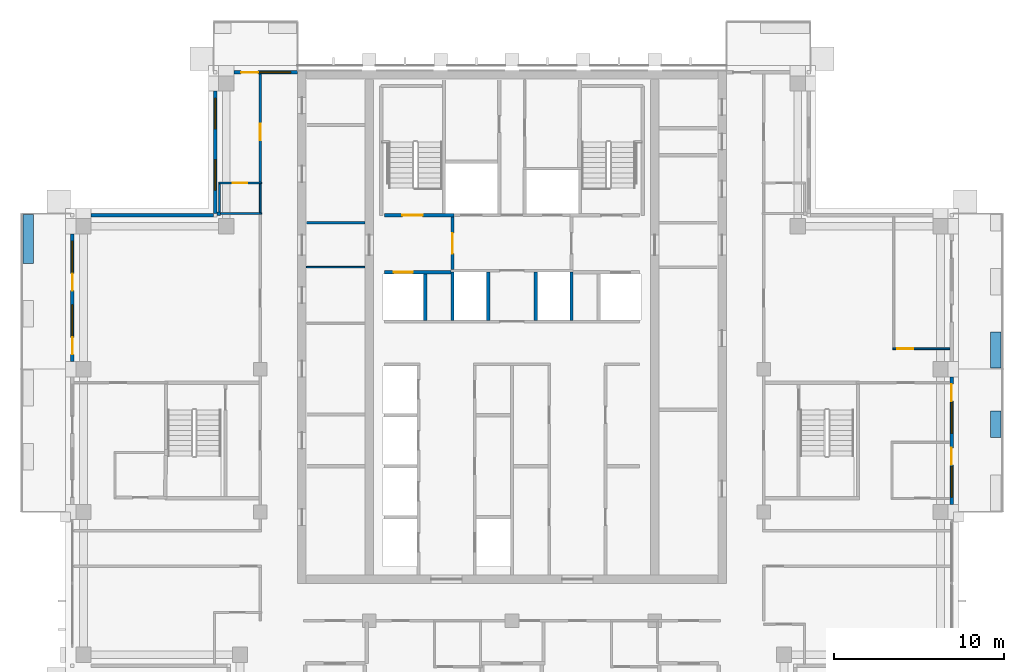
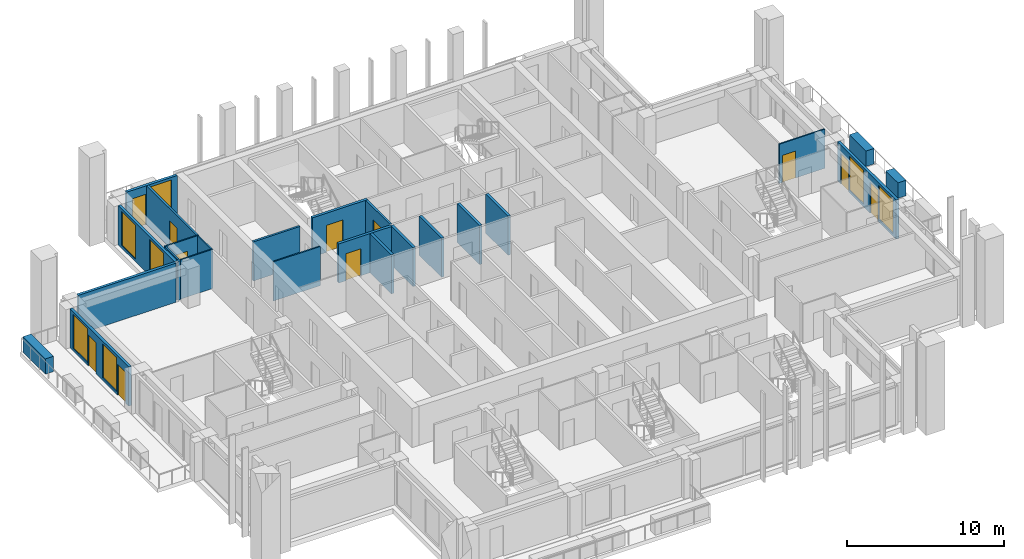
# One storey, part 10 of 16: 25 walls, 11 doors, 7 windows, 18 openings.
"""IFC4 building model written with IfcOpenShell, lengths in metres."""

from ifc_helpers import new_model, si_unit, direction, frame, frame_2d, origin, place, context, subcontext, project, spatial, rectangle, extrude, material, layer, layer_set, type_object, element, fill, save


model = new_model("IFC4")

# Units and contexts
model_context = context("Model", 3, precision=1e-05, world=origin(), true_north=direction((0.0, 1.0)))
body_context = subcontext(model_context, "Body", "Model", "MODEL_VIEW")
ifc_project = project(units=[si_unit("LENGTHUNIT", "METRE"), si_unit("AREAUNIT", "SQUARE_METRE"), si_unit("VOLUMEUNIT", "CUBIC_METRE"), si_unit("PLANEANGLEUNIT", "RADIAN"), si_unit("MASSUNIT", "GRAM", prefix="KILO")], contexts=[model_context])

# Site, building, storey
site_placement = place(None, origin())
site = spatial("IfcSite", under=ifc_project, at=site_placement, CompositionType="ELEMENT")
building_placement = place(site_placement, origin())
building = spatial("IfcBuilding", under=site, at=building_placement, Name="Vermilion Ogive Tower", CompositionType="ELEMENT")
storey_placement = place(building_placement, frame((0.0, 0.0, 247.60009765625)))
storey = spatial("IfcBuildingStorey", under=building, at=storey_placement, Name="L65", CompositionType="ELEMENT", Elevation=247.60009765625)

# Wall
ifc_material_1 = material(Name="Gypsum board partition on steel studs", Category="steel")
ifc_layer_1 = layer(ifc_material_1, 0.10009765625)
ifc_layer_set_1 = layer_set([ifc_layer_1], Name="Partition 100 bath")
wall_type_1 = type_object("IfcWallType", Name="Partition 100 bath", PredefinedType="PARTITIONING", material=ifc_layer_set_1)
wall_1_placement = place(storey_placement, frame((-17.25, 13.35009765625, 0.0), z_axis=(0.0, 0.0, 1.0), x_axis=(1.0, 0.0, 0.0)))
element("IfcWall", 1, at=wall_1_placement, inside=storey, type_object=wall_type_1, Name="L65-W-W030", PredefinedType="PARTITIONING", context=body_context, shape_type="SweptSolid", body=[
    extrude(rectangle(XDim=2.52490234375, YDim=0.10009765625, at=frame_2d((1.262451171875, 0.0))), origin(), (0.0, 0.0, 1.0), 3.0498046875),
])

# Wall, opening, door
wall_2_placement = place(storey_placement, frame((-17.25, 15.14990234375, 0.0), z_axis=(0.0, 0.0, 1.0), x_axis=(1.0, 0.0, 0.0)))
wall_2 = element("IfcWall", 2, at=wall_2_placement, inside=storey, type_object=wall_type_1, Name="L65-W-W033", PredefinedType="PARTITIONING", context=body_context, shape_type="SweptSolid", body=[
    extrude(rectangle(XDim=2.52490234375, YDim=0.10009765625, at=frame_2d((1.262451171875, 0.0))), origin(), (0.0, 0.0, 1.0), 3.0498046875),
])
opening_1_placement = place(wall_2_placement, frame((0.824951171875, 0.0, 0.0)))
opening_1 = element("IfcOpeningElement", 3, at=opening_1_placement, cuts=wall_2, Name="Opening D5G4007", PredefinedType="OPENING", context=body_context, shape_type="SweptSolid", body=[
    extrude(rectangle(XDim=0.85009765625, YDim=2.10009765625, at=frame_2d((0.425048828125, 1.050048828125))), frame((0.0, 0.06005859375, 0.0), z_axis=(0.0, -1.0, 0.0), x_axis=(1.0, 0.0, 0.0)), (0.0, 0.0, 1.0), 0.1201171875),
])
ifc_material_2 = material(Name="Timber door leaf", Category="wood")
door_type_1 = type_object("IfcDoorType", Name="Bath door 850 x 2100 FD30", OperationType="SINGLE_SWING_LEFT", PredefinedType="DOOR", material=ifc_material_2)
door_1_placement = place(opening_1_placement, origin())
door_1 = element("IfcDoor", 4, at=door_1_placement, inside=storey, type_object=door_type_1, Name="L65-D-D007", OperationType="SINGLE_SWING_RIGHT", OverallHeight=2.10009765625, OverallWidth=0.85009765625, PredefinedType="DOOR", context=body_context, shape_type="SweptSolid", body=[
    extrude(rectangle(XDim=0.85009765625, YDim=2.10009765625, at=frame_2d((0.425048828125, 1.050048828125))), frame((0.0, 0.02490234375, 0.0), z_axis=(0.0, -1.0, 0.0), x_axis=(1.0, 0.0, 0.0)), (0.0, 0.0, 1.0), 0.050048828125),
])
fill(opening_1, door_1)

# Walls
wall_3_placement = place(storey_placement, frame((-17.199951171875, 13.449951171875, 0.0), z_axis=(0.0, 0.0, 1.0), x_axis=(0.0, 1.0, 0.0)))
element("IfcWall", 5, at=wall_3_placement, inside=storey, type_object=wall_type_1, Name="L65-W-W039", PredefinedType="PARTITIONING", context=body_context, shape_type="SweptSolid", body=[
    extrude(rectangle(XDim=1.650146484375, YDim=0.10009765625, at=frame_2d((0.8251953125, 0.0))), origin(), (0.0, 0.0, 1.0), 3.0498046875),
])
wall_4_placement = place(storey_placement, frame((-14.800048828125, 13.39990234375, 0.0), z_axis=(0.0, 0.0, 1.0), x_axis=(0.0, 1.0, 0.0)))
element("IfcWall", 6, at=wall_4_placement, inside=storey, type_object=wall_type_1, Name="L65-W-W044", PredefinedType="PARTITIONING", context=body_context, shape_type="SweptSolid", body=[
    extrude(rectangle(XDim=1.7001953125, YDim=0.10009765625, at=frame_2d((0.85009765625, 0.0))), origin(), (0.0, 0.0, 1.0), 3.0498046875),
])
wall_5_placement = place(storey_placement, frame((-12.09912109375, 10.199951171875, 0.0), z_axis=(0.0, 0.0, 1.0), x_axis=(1.0, 0.0, 0.0)))
element("IfcWall", 7, at=wall_5_placement, inside=storey, type_object=wall_type_1, Name="L65-CKW-W-W004", PredefinedType="PARTITIONING", context=body_context, shape_type="SweptSolid", body=[
    extrude(rectangle(XDim=3.4482421875, YDim=0.10009765625, at=frame_2d((1.72412109375, 0.0))), origin(), (0.0, 0.0, 1.0), 3.0498046875),
])

# Wall, opening, door
ifc_material_3 = material(Name="Gypsum board partition on steel studs", Category="steel")
ifc_layer_2 = layer(ifc_material_3, 0.10009765625)
ifc_layer_set_2 = layer_set([ifc_layer_2], Name="Partition 100 inner")
wall_type_2 = type_object("IfcWallType", Name="Partition 100 inner", PredefinedType="PARTITIONING", material=ifc_layer_set_2)
wall_6_placement = place(storey_placement, frame((22.39990234375, 5.39990234375, 0.0), z_axis=(0.0, 0.0, 1.0), x_axis=(1.0, 0.0, 0.0)))
wall_6 = element("IfcWall", 8, at=wall_6_placement, inside=storey, type_object=wall_type_2, Name="L65-W-W028", PredefinedType="PARTITIONING", context=body_context, shape_type="SweptSolid", body=[
    extrude(rectangle(XDim=3.35009765625, YDim=0.10009765625, at=frame_2d((1.675048828125, 0.0))), origin(), (0.0, 0.0, 1.0), 3.0498046875),
])
opening_2_placement = place(wall_6_placement, frame((0.25, 0.0, 0.0)))
opening_2 = element("IfcOpeningElement", 9, at=opening_2_placement, cuts=wall_6, Name="Opening D5G4014", PredefinedType="OPENING", context=body_context, shape_type="SweptSolid", body=[
    extrude(rectangle(XDim=0.949951171875, YDim=2.10009765625, at=frame_2d((0.47509765625, 1.050048828125))), frame((0.0, 0.06005859375, 0.0), z_axis=(0.0, -1.0, 0.0), x_axis=(1.0, 0.0, 0.0)), (0.0, 0.0, 1.0), 0.1201171875),
])
ifc_material_4 = material(Name="Timber door leaf", Category="wood")
door_type_2 = type_object("IfcDoorType", Name="Inner door 950 x 2100 FD30", OperationType="SINGLE_SWING_LEFT", PredefinedType="DOOR", material=ifc_material_4)
door_2_placement = place(opening_2_placement, origin())
door_2 = element("IfcDoor", 10, at=door_2_placement, inside=storey, type_object=door_type_2, Name="L65-D-D014", OperationType="SINGLE_SWING_LEFT", OverallHeight=2.10009765625, OverallWidth=0.949951171875, PredefinedType="DOOR", context=body_context, shape_type="SweptSolid", body=[
    extrude(rectangle(XDim=0.949951171875, YDim=2.10009765625, at=frame_2d((0.47509765625, 1.050048828125))), frame((0.0, 0.02490234375, 0.0), z_axis=(0.0, -1.0, 0.0), x_axis=(1.0, 0.0, 0.0)), (0.0, 0.0, 1.0), 0.050048828125),
])
fill(opening_2, door_2)

ifc_material_5 = material(Name="Gypsum board partition on steel studs", Category="steel")
ifc_layer_3 = layer(ifc_material_5, 0.14990234375)
ifc_layer_set_3 = layer_set([ifc_layer_3], Name="Partition 150 corridor")
wall_type_3 = type_object("IfcWallType", Name="Partition 150 corridor", PredefinedType="PARTITIONING", material=ifc_layer_set_3)
wall_7_placement = place(storey_placement, frame((-14.800048828125, 15.199951171875, 0.0), z_axis=(0.0, 0.0, 1.0), x_axis=(0.0, 1.0, 0.0)))
wall_7 = element("IfcWall", 11, at=wall_7_placement, inside=storey, type_object=wall_type_3, Name="L65-W-W045", PredefinedType="PARTITIONING", context=body_context, shape_type="SweptSolid", body=[
    extrude(rectangle(XDim=6.35009765625, YDim=0.14990234375, at=frame_2d((3.175048828125, 0.0))), origin(), (0.0, 0.0, 1.0), 3.0498046875),
])
opening_3_placement = place(wall_7_placement, frame((2.47509765625, 0.0, 0.0)))
opening_3 = element("IfcOpeningElement", 12, at=opening_3_placement, cuts=wall_7, Name="Opening D5G4006", PredefinedType="OPENING", context=body_context, shape_type="SweptSolid", body=[
    extrude(rectangle(XDim=0.949951171875, YDim=2.10009765625, at=frame_2d((0.47509765625, 1.050048828125))), frame((0.0, 0.0849609375, 0.0), z_axis=(0.0, -1.0, 0.0), x_axis=(1.0, 0.0, 0.0)), (0.0, 0.0, 1.0), 0.169921875),
])
ifc_material_6 = material(Name="Timber door leaf", Category="wood")
door_type_3 = type_object("IfcDoorType", Name="Unit door 950 x 2100 FD30S", OperationType="SINGLE_SWING_LEFT", PredefinedType="DOOR", material=ifc_material_6)
door_3_placement = place(opening_3_placement, origin())
door_3 = element("IfcDoor", 13, at=door_3_placement, inside=storey, type_object=door_type_3, Name="L65-D-D006", OperationType="SINGLE_SWING_RIGHT", OverallHeight=2.10009765625, OverallWidth=0.949951171875, PredefinedType="DOOR", context=body_context, shape_type="SweptSolid", body=[
    extrude(rectangle(XDim=0.949951171875, YDim=2.10009765625, at=frame_2d((0.47509765625, 1.050048828125))), frame((0.0, 0.02490234375, 0.0), z_axis=(0.0, -1.0, 0.0), x_axis=(1.0, 0.0, 0.0)), (0.0, 0.0, 1.0), 0.050048828125),
])
fill(opening_3, door_3)

wall_8_placement = place(storey_placement, frame((-3.5, 10.074951171875, 0.0), z_axis=(0.0, 0.0, 1.0), x_axis=(0.0, 1.0, 0.0)))
wall_8 = element("IfcWall", 14, at=wall_8_placement, inside=storey, type_object=wall_type_3, Name="L65-CK-W-W024", PredefinedType="PARTITIONING", context=body_context, shape_type="SweptSolid", body=[
    extrude(rectangle(XDim=3.074951171875, YDim=0.14990234375, at=frame_2d((1.53759765625, 0.0))), origin(), (0.0, 0.0, 1.0), 3.0498046875),
])
opening_4_placement = place(wall_8_placement, frame((0.925048828125, 0.0, 0.0)))
opening_4 = element("IfcOpeningElement", 15, at=opening_4_placement, cuts=wall_8, Name="Opening DAA609", PredefinedType="OPENING", context=body_context, shape_type="SweptSolid", body=[
    extrude(rectangle(XDim=1.199951171875, YDim=2.10009765625, at=frame_2d((0.60009765625, 1.050048828125))), frame((0.0, 0.0849609375, 0.0), z_axis=(0.0, -1.0, 0.0), x_axis=(1.0, 0.0, 0.0)), (0.0, 0.0, 1.0), 0.169921875),
])
ifc_material_7 = material(Name="Timber door leaf", Category="wood")
door_type_4 = type_object("IfcDoorType", Name="Lobby door 1200 x 2100 FD60S", OperationType="SINGLE_SWING_LEFT", PredefinedType="DOOR", material=ifc_material_7)
door_4_placement = place(opening_4_placement, origin())
door_4 = element("IfcDoor", 16, at=door_4_placement, inside=storey, type_object=door_type_4, Name="L65-CK-D-D023", OperationType="SINGLE_SWING_RIGHT", OverallHeight=2.10009765625, OverallWidth=1.199951171875, PredefinedType="DOOR", context=body_context, shape_type="SweptSolid", body=[
    extrude(rectangle(XDim=1.199951171875, YDim=2.10009765625, at=frame_2d((0.60009765625, 1.050048828125))), frame((0.0, 0.02490234375, 0.0), z_axis=(0.0, -1.0, 0.0), x_axis=(1.0, 0.0, 0.0)), (0.0, 0.0, 1.0), 0.050048828125),
])
fill(opening_4, door_4)

# Walls
wall_9_placement = place(storey_placement, frame((-12.09912109375, 12.800048828125, 0.0), z_axis=(0.0, 0.0, 1.0), x_axis=(1.0, 0.0, 0.0)))
element("IfcWall", 17, at=wall_9_placement, inside=storey, type_object=wall_type_3, Name="L65-CKW-W-W005", PredefinedType="PARTITIONING", context=body_context, shape_type="SweptSolid", body=[
    extrude(rectangle(XDim=3.4482421875, YDim=0.14990234375, at=frame_2d((1.72412109375, 0.0))), origin(), (0.0, 0.0, 1.0), 3.0498046875),
])
ifc_material_8 = material(Name="Gypsum board partition on steel studs", Category="steel")
ifc_layer_4 = layer(ifc_material_8, 0.199951171875)
ifc_layer_set_4 = layer_set([ifc_layer_4], Name="Partition 200 party")
wall_type_4 = type_object("IfcWallType", Name="Partition 200 party", PredefinedType="PARTITIONING", material=ifc_layer_set_4)
wall_10_placement = place(storey_placement, frame((-17.35009765625, 13.35009765625, 0.0), z_axis=(0.0, 0.0, 1.0), x_axis=(1.0, 0.0, 0.0)))
element("IfcWall", 18, at=wall_10_placement, inside=storey, type_object=wall_type_4, Name="L65-W-W029", PredefinedType="PARTITIONING", context=body_context, shape_type="SweptSolid", body=[
    extrude(rectangle(XDim=0.2001953125, YDim=0.199951171875, at=frame_2d((0.10009765625, 0.0))), origin(), (0.0, 0.0, 1.0), 3.0498046875),
])

# Wall, opening, door
wall_11_placement = place(storey_placement, frame((-7.5, 9.89990234375, 0.0), z_axis=(0.0, 0.0, 1.0), x_axis=(1.0, 0.0, 0.0)))
wall_11 = element("IfcWall", 19, at=wall_11_placement, inside=storey, type_object=wall_type_4, Name="L65-CK-W-W012", PredefinedType="PARTITIONING", context=body_context, shape_type="SweptSolid", body=[
    extrude(rectangle(XDim=3.89990234375, YDim=0.199951171875, at=frame_2d((1.949951171875, 0.0))), origin(), (0.0, 0.0, 1.0), 3.0498046875),
])
opening_5_placement = place(wall_11_placement, frame((0.550048828125, 0.0, 0.0)))
opening_5 = element("IfcOpeningElement", 20, at=opening_5_placement, cuts=wall_11, Name="Opening DAA629", PredefinedType="OPENING", context=body_context, shape_type="SweptSolid", body=[
    extrude(rectangle(XDim=1.10009765625, YDim=2.10009765625, at=frame_2d((0.550048828125, 1.050048828125))), frame((0.0, 0.10986328125, 0.0), z_axis=(0.0, -1.0, 0.0), x_axis=(1.0, 0.0, 0.0)), (0.0, 0.0, 1.0), 0.219970703125),
])
ifc_material_9 = material(Name="Stainless steel", Category="steel")
door_type_5 = type_object("IfcDoorType", Name="Lift landing door 1100 x 2100", OperationType="SLIDING_TO_LEFT", PredefinedType="DOOR", material=ifc_material_9)
door_5_placement = place(opening_5_placement, origin())
door_5 = element("IfcDoor", 21, at=door_5_placement, inside=storey, type_object=door_type_5, Name="L65-CK-D-D013", OperationType="SLIDING_TO_RIGHT", OverallHeight=2.10009765625, OverallWidth=1.10009765625, PredefinedType="DOOR", context=body_context, shape_type="SweptSolid", body=[
    extrude(rectangle(XDim=1.10009765625, YDim=2.10009765625, at=frame_2d((0.550048828125, 1.050048828125))), frame((0.0, 0.02490234375, 0.0), z_axis=(0.0, -1.0, 0.0), x_axis=(1.0, 0.0, 0.0)), (0.0, 0.0, 1.0), 0.050048828125),
])
fill(opening_5, door_5)

# Walls
wall_12_placement = place(storey_placement, frame((-5.10009765625, 7.074951171875, 0.0), z_axis=(0.0, 0.0, 1.0), x_axis=(0.0, 1.0, 0.0)))
element("IfcWall", 22, at=wall_12_placement, inside=storey, type_object=wall_type_4, Name="L65-CK-W-W021", PredefinedType="PARTITIONING", context=body_context, shape_type="SweptSolid", body=[
    extrude(rectangle(XDim=2.72509765625, YDim=0.199951171875, at=frame_2d((1.362548828125, 0.0))), origin(), (0.0, 0.0, 1.0), 3.0498046875),
])
for number, where, z_axis, x_axis, name in (
    (23, (-3.5, 7.074951171875, 0.0), (0.0, 0.0, 1.0), (0.0, 1.0, 0.0), "L65-CK-W-W023"),
    (24, (-1.39990234375, 7.074951171875, 0.0), (0.0, 0.0, 1.0), (0.0, 1.0, 0.0), "L65-CK-W-W026"),
    (25, (1.39990234375, 7.074951171875, 0.0), (0.0, 0.0, 1.0), (0.0, 1.0, 0.0), "L65-CK-W-W031"),
    (26, (3.5, 7.074951171875, 0.0), (0.0, 0.0, 1.0), (0.0, 1.0, 0.0), "L65-CK-W-W033"),
):
    element("IfcWall", number, at=place(storey_placement, frame(where, z_axis=z_axis, x_axis=x_axis)), inside=storey, type_object=wall_type_4, Name=name, PredefinedType="PARTITIONING", context=body_context, shape_type="SweptSolid", body=[
        extrude(rectangle(XDim=2.85009765625, YDim=0.199951171875, at=frame_2d((1.425048828125, 0.0))), origin(), (0.0, 0.0, 1.0), 3.0498046875),
    ])

# Wall, opening, door
ifc_material_10 = material(Name="Concrete B60", Category="concrete")
ifc_layer_5 = layer(ifc_material_10, 0.199951171875)
ifc_layer_set_5 = layer_set([ifc_layer_5], Name="Stair shaft wall 200 Concrete B60")
wall_type_5 = type_object("IfcWallType", Name="Stair shaft wall 200 Concrete B60", PredefinedType="SOLIDWALL", material=ifc_layer_set_5)
wall_13_placement = place(storey_placement, frame((-7.5, 13.25, 0.0), z_axis=(0.0, 0.0, 1.0), x_axis=(1.0, 0.0, 0.0)))
wall_13 = element("IfcWall", 27, at=wall_13_placement, inside=storey, type_object=wall_type_5, Name="L65-CK-W-W015", PredefinedType="SOLIDWALL", context=body_context, shape_type="SweptSolid", body=[
    extrude(rectangle(XDim=4.074951171875, YDim=0.199951171875, at=frame_2d((2.03759765625, 0.0))), origin(), (0.0, 0.0, 1.0), 3.0498046875),
])
opening_6_placement = place(wall_13_placement, frame((1.050048828125, 0.0, 0.0)))
opening_6 = element("IfcOpeningElement", 28, at=opening_6_placement, cuts=wall_13, Name="Opening DAA622", PredefinedType="OPENING", context=body_context, shape_type="SweptSolid", body=[
    extrude(rectangle(XDim=1.199951171875, YDim=2.10009765625, at=frame_2d((0.60009765625, 1.050048828125))), frame((0.0, 0.10986328125, 0.0), z_axis=(0.0, -1.0, 0.0), x_axis=(1.0, 0.0, 0.0)), (0.0, 0.0, 1.0), 0.219970703125),
])
ifc_material_11 = material(Name="Timber door leaf", Category="wood")
door_type_6 = type_object("IfcDoorType", Name="Stair door 1200 x 2100 FD60S", OperationType="SINGLE_SWING_LEFT", PredefinedType="DOOR", material=ifc_material_11)
door_6_placement = place(opening_6_placement, origin())
door_6 = element("IfcDoor", 29, at=door_6_placement, inside=storey, type_object=door_type_6, Name="L65-CK-D-D012", OperationType="SINGLE_SWING_LEFT", OverallHeight=2.10009765625, OverallWidth=1.199951171875, PredefinedType="DOOR", context=body_context, shape_type="SweptSolid", body=[
    extrude(rectangle(XDim=1.199951171875, YDim=2.10009765625, at=frame_2d((0.60009765625, 1.050048828125))), frame((0.0, 0.02490234375, 0.0), z_axis=(0.0, -1.0, 0.0), x_axis=(1.0, 0.0, 0.0)), (0.0, 0.0, 1.0), 0.050048828125),
])
fill(opening_6, door_6)

# Walls
ifc_material_12 = material(Name="Concrete B40", Category="concrete")
ifc_layer_6 = layer(ifc_material_12, 0.60009765625)
ifc_layer_set_6 = layer_set([ifc_layer_6], Name="Structural planter")
wall_type_6 = type_object("IfcWallType", Name="Structural planter", PredefinedType="USERDEFINED", material=ifc_layer_set_6)
wall_14_placement = place(storey_placement, frame((28.45361328125, 0.175048828125, -0.0400390625), z_axis=(0.0, 0.0, 1.0), x_axis=(0.0, 1.0, 0.0)))
element("IfcWall", 30, at=wall_14_placement, inside=storey, type_object=wall_type_6, Name="Planter E02A2", ObjectType="PLANTER", PredefinedType="USERDEFINED", context=body_context, shape_type="SweptSolid", body=[
    extrude(rectangle(XDim=1.550048828125, YDim=0.60009765625, at=frame_2d((0.77490234375, 0.0))), origin(), (0.0, 0.0, 1.0), 1.199951171875),
])
wall_15_placement = place(storey_placement, frame((28.45361328125, 4.260009765625, -0.0400390625), z_axis=(0.0, 0.0, 1.0), x_axis=(0.0, 1.0, 0.0)))
element("IfcWall", 31, at=wall_15_placement, inside=storey, type_object=wall_type_6, Name="Planter E03A1", ObjectType="PLANTER", PredefinedType="USERDEFINED", context=body_context, shape_type="SweptSolid", body=[
    extrude(rectangle(XDim=2.114990234375, YDim=0.60009765625, at=frame_2d((1.0576171875, 0.0))), origin(), (0.0, 0.0, 1.0), 1.199951171875),
])
wall_16_placement = place(storey_placement, frame((-28.45361328125, 13.2900390625, -0.0400390625), z_axis=(0.0, 0.0, 1.0), x_axis=(0.0, -1.0, 0.0)))
element("IfcWall", 32, at=wall_16_placement, inside=storey, type_object=wall_type_6, Name="Planter W01A1", ObjectType="PLANTER", PredefinedType="USERDEFINED", context=body_context, shape_type="SweptSolid", body=[
    extrude(rectangle(XDim=2.864990234375, YDim=0.60009765625, at=frame_2d((1.4326171875, 0.0))), origin(), (0.0, 0.0, 1.0), 1.199951171875),
])

# Wall, openings, doors, windows
ifc_material_13 = material(Name="Aluminium window wall framing", Category="aluminium")
ifc_layer_7 = layer(ifc_material_13, 0.199951171875)
ifc_layer_set_7 = layer_set([ifc_layer_7], Name="Window wall")
wall_type_7 = type_object("IfcWallType", Name="Window wall", PredefinedType="STANDARD", material=ifc_layer_set_7)
wall_17_placement = place(storey_placement, frame((25.85009765625, -3.75, 0.0), z_axis=(0.0, 0.0, 1.0), x_axis=(0.0, 1.0, 0.0)))
wall_17 = element("IfcWall", 33, at=wall_17_placement, inside=storey, type_object=wall_type_7, Name="Window wall E2", PredefinedType="STANDARD", context=body_context, shape_type="SweptSolid", body=[
    extrude(rectangle(XDim=7.5, YDim=0.199951171875, at=frame_2d((3.75, 0.0))), origin(), (0.0, 0.0, 1.0), 3.0498046875),
])
opening_7_placement = place(wall_17_placement, frame((0.425048828125, 0.0, 0.199951171875)))
opening_7 = element("IfcOpeningElement", 34, at=opening_7_placement, cuts=wall_17, Name="Opening W1-E99", PredefinedType="OPENING", context=body_context, shape_type="SweptSolid", body=[
    extrude(rectangle(XDim=1.800048828125, YDim=2.64990234375, at=frame_2d((0.89990234375, 1.324951171875))), frame((0.0, 0.10986328125, 0.0), z_axis=(0.0, -1.0, 0.0), x_axis=(1.0, 0.0, 0.0)), (0.0, 0.0, 1.0), 0.219970703125),
])
opening_8_placement = place(wall_17_placement, frame((2.324951171875, 0.0, 0.0)))
opening_8 = element("IfcOpeningElement", 35, at=opening_8_placement, cuts=wall_17, Name="Opening D1-E99", PredefinedType="OPENING", context=body_context, shape_type="SweptSolid", body=[
    extrude(rectangle(XDim=1.0, YDim=2.39990234375, at=frame_2d((0.5, 1.199951171875))), frame((0.0, 0.10986328125, 0.0), z_axis=(0.0, -1.0, 0.0), x_axis=(1.0, 0.0, 0.0)), (0.0, 0.0, 1.0), 0.219970703125),
])
opening_9_placement = place(wall_17_placement, frame((4.175048828125, 0.0, 0.199951171875)))
opening_9 = element("IfcOpeningElement", 36, at=opening_9_placement, cuts=wall_17, Name="Opening W1-E00", PredefinedType="OPENING", context=body_context, shape_type="SweptSolid", body=[
    extrude(rectangle(XDim=1.800048828125, YDim=2.64990234375, at=frame_2d((0.89990234375, 1.324951171875))), frame((0.0, 0.10986328125, 0.0), z_axis=(0.0, -1.0, 0.0), x_axis=(1.0, 0.0, 0.0)), (0.0, 0.0, 1.0), 0.219970703125),
])
opening_10_placement = place(wall_17_placement, frame((6.074951171875, 0.0, 0.0)))
opening_10 = element("IfcOpeningElement", 37, at=opening_10_placement, cuts=wall_17, Name="Opening D1-E00", PredefinedType="OPENING", context=body_context, shape_type="SweptSolid", body=[
    extrude(rectangle(XDim=1.0, YDim=2.39990234375, at=frame_2d((0.5, 1.199951171875))), frame((0.0, 0.10986328125, 0.0), z_axis=(0.0, -1.0, 0.0), x_axis=(1.0, 0.0, 0.0)), (0.0, 0.0, 1.0), 0.219970703125),
])
ifc_material_14 = material(Name="Aluminium framed glazed door", Category="aluminium")
door_type_7 = type_object("IfcDoorType", Name="Balcony door D1", OperationType="SINGLE_SWING_LEFT", PredefinedType="DOOR", material=ifc_material_14)
door_7_placement = place(opening_8_placement, origin())
door_7 = element("IfcDoor", 38, at=door_7_placement, inside=storey, type_object=door_type_7, Name="Balcony door E99", OperationType="SINGLE_SWING_LEFT", OverallHeight=2.39990234375, OverallWidth=1.0, PredefinedType="DOOR", context=body_context, shape_type="SweptSolid", body=[
    extrude(rectangle(XDim=1.0, YDim=2.39990234375, at=frame_2d((0.5, 1.199951171875))), frame((0.0, 0.02490234375, 0.0), z_axis=(0.0, -1.0, 0.0), x_axis=(1.0, 0.0, 0.0)), (0.0, 0.0, 1.0), 0.050048828125),
])
fill(opening_8, door_7)
door_8_placement = place(opening_10_placement, origin())
door_8 = element("IfcDoor", 39, at=door_8_placement, inside=storey, type_object=door_type_7, Name="Balcony door E00", OperationType="SINGLE_SWING_LEFT", OverallHeight=2.39990234375, OverallWidth=1.0, PredefinedType="DOOR", context=body_context, shape_type="SweptSolid", body=[
    extrude(rectangle(XDim=1.0, YDim=2.39990234375, at=frame_2d((0.5, 1.199951171875))), frame((0.0, 0.02490234375, 0.0), z_axis=(0.0, -1.0, 0.0), x_axis=(1.0, 0.0, 0.0)), (0.0, 0.0, 1.0), 0.050048828125),
])
fill(opening_10, door_8)
ifc_material_15 = material(Name="Aluminium framed double glazing", Category="aluminium")
window_type = type_object("IfcWindowType", Name="Guest window W1", PartitioningType="SINGLE_PANEL", PredefinedType="WINDOW", material=ifc_material_15)
window_1_placement = place(opening_7_placement, origin())
window_1 = element("IfcWindow", 40, at=window_1_placement, inside=storey, type_object=window_type, Name="Window E99", OverallHeight=2.64990234375, OverallWidth=1.800048828125, PartitioningType="SINGLE_PANEL", PredefinedType="WINDOW", context=body_context, shape_type="SweptSolid", body=[
    extrude(rectangle(XDim=1.800048828125, YDim=2.64990234375, at=frame_2d((0.89990234375, 1.324951171875))), frame((0.0, 0.030029296875, 0.0), z_axis=(0.0, -1.0, 0.0), x_axis=(1.0, 0.0, 0.0)), (0.0, 0.0, 1.0), 0.06005859375),
])
fill(opening_7, window_1)
window_2_placement = place(opening_9_placement, origin())
window_2 = element("IfcWindow", 41, at=window_2_placement, inside=storey, type_object=window_type, Name="Window E00", OverallHeight=2.64990234375, OverallWidth=1.800048828125, PartitioningType="SINGLE_PANEL", PredefinedType="WINDOW", context=body_context, shape_type="SweptSolid", body=[
    extrude(rectangle(XDim=1.800048828125, YDim=2.64990234375, at=frame_2d((0.89990234375, 1.324951171875))), frame((0.0, 0.030029296875, 0.0), z_axis=(0.0, -1.0, 0.0), x_axis=(1.0, 0.0, 0.0)), (0.0, 0.0, 1.0), 0.06005859375),
])
fill(opening_9, window_2)

# Wall, openings, door, window
wall_18_placement = place(storey_placement, frame((-12.60009765625, 21.64990234375, 0.0), z_axis=(0.0, 0.0, 1.0), x_axis=(-1.0, 0.0, 0.0)))
wall_18 = element("IfcWall", 42, at=wall_18_placement, inside=storey, type_object=wall_type_7, Name="Window wall N21", PredefinedType="STANDARD", context=body_context, shape_type="SweptSolid", body=[
    extrude(rectangle(XDim=3.75, YDim=0.199951171875, at=frame_2d((1.875, 0.0))), origin(), (0.0, 0.0, 1.0), 3.0498046875),
])
opening_11_placement = place(wall_18_placement, frame((0.425048828125, 0.0, 0.199951171875)))
opening_11 = element("IfcOpeningElement", 43, at=opening_11_placement, cuts=wall_18, Name="Opening W1-N296", PredefinedType="OPENING", context=body_context, shape_type="SweptSolid", body=[
    extrude(rectangle(XDim=1.800048828125, YDim=2.64990234375, at=frame_2d((0.89990234375, 1.324951171875))), frame((0.0, 0.10986328125, 0.0), z_axis=(0.0, -1.0, 0.0), x_axis=(1.0, 0.0, 0.0)), (0.0, 0.0, 1.0), 0.219970703125),
])
opening_12_placement = place(wall_18_placement, frame((2.324951171875, 0.0, 0.0)))
opening_12 = element("IfcOpeningElement", 44, at=opening_12_placement, cuts=wall_18, Name="Opening D1-N296", PredefinedType="OPENING", context=body_context, shape_type="SweptSolid", body=[
    extrude(rectangle(XDim=1.0, YDim=2.39990234375, at=frame_2d((0.5, 1.199951171875))), frame((0.0, 0.10986328125, 0.0), z_axis=(0.0, -1.0, 0.0), x_axis=(1.0, 0.0, 0.0)), (0.0, 0.0, 1.0), 0.219970703125),
])
door_9_placement = place(opening_12_placement, origin())
door_9 = element("IfcDoor", 45, at=door_9_placement, inside=storey, type_object=door_type_7, Name="Balcony door N296", OperationType="SINGLE_SWING_LEFT", OverallHeight=2.39990234375, OverallWidth=1.0, PredefinedType="DOOR", context=body_context, shape_type="SweptSolid", body=[
    extrude(rectangle(XDim=1.0, YDim=2.39990234375, at=frame_2d((0.5, 1.199951171875))), frame((0.0, 0.02490234375, 0.0), z_axis=(0.0, -1.0, 0.0), x_axis=(1.0, 0.0, 0.0)), (0.0, 0.0, 1.0), 0.050048828125),
])
fill(opening_12, door_9)
window_3_placement = place(opening_11_placement, origin())
window_3 = element("IfcWindow", 46, at=window_3_placement, inside=storey, type_object=window_type, Name="Window N296", OverallHeight=2.64990234375, OverallWidth=1.800048828125, PartitioningType="SINGLE_PANEL", PredefinedType="WINDOW", context=body_context, shape_type="SweptSolid", body=[
    extrude(rectangle(XDim=1.800048828125, YDim=2.64990234375, at=frame_2d((0.89990234375, 1.324951171875))), frame((0.0, 0.030029296875, 0.0), z_axis=(0.0, -1.0, 0.0), x_axis=(1.0, 0.0, 0.0)), (0.0, 0.0, 1.0), 0.06005859375),
])
fill(opening_11, window_3)

# Wall, openings, windows
wall_19_placement = place(storey_placement, frame((-17.449951171875, 20.550048828125, 0.0), z_axis=(0.0, 0.0, 1.0), x_axis=(0.0, -1.0, 0.0)))
wall_19 = element("IfcWall", 47, at=wall_19_placement, inside=storey, type_object=wall_type_7, Name="Window wall X51", PredefinedType="STANDARD", context=body_context, shape_type="SweptSolid", body=[
    extrude(rectangle(XDim=7.199951171875, YDim=0.199951171875, at=frame_2d((3.60009765625, 0.0))), origin(), (0.0, 0.0, 1.0), 3.0498046875),
])
opening_13_placement = place(wall_19_placement, frame((4.02490234375, 0.0, 0.199951171875)))
opening_13 = element("IfcOpeningElement", 48, at=opening_13_placement, cuts=wall_19, Name="Opening W1-X503", PredefinedType="OPENING", context=body_context, shape_type="SweptSolid", body=[
    extrude(rectangle(XDim=1.800048828125, YDim=2.64990234375, at=frame_2d((0.89990234375, 1.324951171875))), frame((0.0, 0.10986328125, 0.0), z_axis=(0.0, -1.0, 0.0), x_axis=(1.0, 0.0, 0.0)), (0.0, 0.0, 1.0), 0.219970703125),
])
opening_14_placement = place(wall_19_placement, frame((0.425048828125, 0.0, 0.199951171875)))
opening_14 = element("IfcOpeningElement", 49, at=opening_14_placement, cuts=wall_19, Name="Opening W1-X504", PredefinedType="OPENING", context=body_context, shape_type="SweptSolid", body=[
    extrude(rectangle(XDim=1.800048828125, YDim=2.64990234375, at=frame_2d((0.89990234375, 1.324951171875))), frame((0.0, 0.10986328125, 0.0), z_axis=(0.0, -1.0, 0.0), x_axis=(1.0, 0.0, 0.0)), (0.0, 0.0, 1.0), 0.219970703125),
])
window_4_placement = place(opening_13_placement, origin())
window_4 = element("IfcWindow", 50, at=window_4_placement, inside=storey, type_object=window_type, Name="Window X503", OverallHeight=2.64990234375, OverallWidth=1.800048828125, PartitioningType="SINGLE_PANEL", PredefinedType="WINDOW", context=body_context, shape_type="SweptSolid", body=[
    extrude(rectangle(XDim=1.800048828125, YDim=2.64990234375, at=frame_2d((0.89990234375, 1.324951171875))), frame((0.0, 0.030029296875, 0.0), z_axis=(0.0, -1.0, 0.0), x_axis=(1.0, 0.0, 0.0)), (0.0, 0.0, 1.0), 0.06005859375),
])
fill(opening_13, window_4)
window_5_placement = place(opening_14_placement, origin())
window_5 = element("IfcWindow", 51, at=window_5_placement, inside=storey, type_object=window_type, Name="Window X504", OverallHeight=2.64990234375, OverallWidth=1.800048828125, PartitioningType="SINGLE_PANEL", PredefinedType="WINDOW", context=body_context, shape_type="SweptSolid", body=[
    extrude(rectangle(XDim=1.800048828125, YDim=2.64990234375, at=frame_2d((0.89990234375, 1.324951171875))), frame((0.0, 0.030029296875, 0.0), z_axis=(0.0, -1.0, 0.0), x_axis=(1.0, 0.0, 0.0)), (0.0, 0.0, 1.0), 0.06005859375),
])
fill(opening_14, window_5)

# Wall
wall_20_placement = place(storey_placement, frame((-17.550048828125, 13.25, 0.0), z_axis=(0.0, 0.0, 1.0), x_axis=(-1.0, 0.0, 0.0)))
element("IfcWall", 52, at=wall_20_placement, inside=storey, type_object=wall_type_7, Name="Window wall X61", PredefinedType="STANDARD", context=body_context, shape_type="SweptSolid", body=[
    extrude(rectangle(XDim=7.199951171875, YDim=0.199951171875, at=frame_2d((3.60009765625, 0.0))), origin(), (0.0, 0.0, 1.0), 3.0498046875),
])

# Wall, openings, doors, windows
wall_21_placement = place(storey_placement, frame((-25.85009765625, 12.14990234375, 0.0), z_axis=(0.0, 0.0, 1.0), x_axis=(0.0, -1.0, 0.0)))
wall_21 = element("IfcWall", 53, at=wall_21_placement, inside=storey, type_object=wall_type_7, Name="Window wall W1", PredefinedType="STANDARD", context=body_context, shape_type="SweptSolid", body=[
    extrude(rectangle(XDim=7.5, YDim=0.199951171875, at=frame_2d((3.75, 0.0))), origin(), (0.0, 0.0, 1.0), 3.0498046875),
])
opening_15_placement = place(wall_21_placement, frame((4.175048828125, 0.0, 0.199951171875)))
opening_15 = element("IfcOpeningElement", 54, at=opening_15_placement, cuts=wall_21, Name="Opening W1-W01", PredefinedType="OPENING", context=body_context, shape_type="SweptSolid", body=[
    extrude(rectangle(XDim=1.800048828125, YDim=2.64990234375, at=frame_2d((0.89990234375, 1.324951171875))), frame((0.0, 0.10986328125, 0.0), z_axis=(0.0, -1.0, 0.0), x_axis=(1.0, 0.0, 0.0)), (0.0, 0.0, 1.0), 0.219970703125),
])
opening_16_placement = place(wall_21_placement, frame((6.074951171875, 0.0, 0.0)))
opening_16 = element("IfcOpeningElement", 55, at=opening_16_placement, cuts=wall_21, Name="Opening D1-W01", PredefinedType="OPENING", context=body_context, shape_type="SweptSolid", body=[
    extrude(rectangle(XDim=1.0, YDim=2.39990234375, at=frame_2d((0.5, 1.199951171875))), frame((0.0, 0.10986328125, 0.0), z_axis=(0.0, -1.0, 0.0), x_axis=(1.0, 0.0, 0.0)), (0.0, 0.0, 1.0), 0.219970703125),
])
opening_17_placement = place(wall_21_placement, frame((0.425048828125, 0.0, 0.199951171875)))
opening_17 = element("IfcOpeningElement", 56, at=opening_17_placement, cuts=wall_21, Name="Opening W1-W02", PredefinedType="OPENING", context=body_context, shape_type="SweptSolid", body=[
    extrude(rectangle(XDim=1.800048828125, YDim=2.64990234375, at=frame_2d((0.89990234375, 1.324951171875))), frame((0.0, 0.10986328125, 0.0), z_axis=(0.0, -1.0, 0.0), x_axis=(1.0, 0.0, 0.0)), (0.0, 0.0, 1.0), 0.219970703125),
])
opening_18_placement = place(wall_21_placement, frame((2.324951171875, 0.0, 0.0)))
opening_18 = element("IfcOpeningElement", 57, at=opening_18_placement, cuts=wall_21, Name="Opening D1-W02", PredefinedType="OPENING", context=body_context, shape_type="SweptSolid", body=[
    extrude(rectangle(XDim=1.0, YDim=2.39990234375, at=frame_2d((0.5, 1.199951171875))), frame((0.0, 0.10986328125, 0.0), z_axis=(0.0, -1.0, 0.0), x_axis=(1.0, 0.0, 0.0)), (0.0, 0.0, 1.0), 0.219970703125),
])
door_10_placement = place(opening_16_placement, origin())
door_10 = element("IfcDoor", 58, at=door_10_placement, inside=storey, type_object=door_type_7, Name="Balcony door W01", OperationType="SINGLE_SWING_LEFT", OverallHeight=2.39990234375, OverallWidth=1.0, PredefinedType="DOOR", context=body_context, shape_type="SweptSolid", body=[
    extrude(rectangle(XDim=1.0, YDim=2.39990234375, at=frame_2d((0.5, 1.199951171875))), frame((0.0, 0.02490234375, 0.0), z_axis=(0.0, -1.0, 0.0), x_axis=(1.0, 0.0, 0.0)), (0.0, 0.0, 1.0), 0.050048828125),
])
fill(opening_16, door_10)
door_11_placement = place(opening_18_placement, origin())
door_11 = element("IfcDoor", 59, at=door_11_placement, inside=storey, type_object=door_type_7, Name="Balcony door W02", OperationType="SINGLE_SWING_LEFT", OverallHeight=2.39990234375, OverallWidth=1.0, PredefinedType="DOOR", context=body_context, shape_type="SweptSolid", body=[
    extrude(rectangle(XDim=1.0, YDim=2.39990234375, at=frame_2d((0.5, 1.199951171875))), frame((0.0, 0.02490234375, 0.0), z_axis=(0.0, -1.0, 0.0), x_axis=(1.0, 0.0, 0.0)), (0.0, 0.0, 1.0), 0.050048828125),
])
fill(opening_18, door_11)
window_6_placement = place(opening_15_placement, origin())
window_6 = element("IfcWindow", 60, at=window_6_placement, inside=storey, type_object=window_type, Name="Window W01", OverallHeight=2.64990234375, OverallWidth=1.800048828125, PartitioningType="SINGLE_PANEL", PredefinedType="WINDOW", context=body_context, shape_type="SweptSolid", body=[
    extrude(rectangle(XDim=1.800048828125, YDim=2.64990234375, at=frame_2d((0.89990234375, 1.324951171875))), frame((0.0, 0.030029296875, 0.0), z_axis=(0.0, -1.0, 0.0), x_axis=(1.0, 0.0, 0.0)), (0.0, 0.0, 1.0), 0.06005859375),
])
fill(opening_15, window_6)
window_7_placement = place(opening_17_placement, origin())
window_7 = element("IfcWindow", 61, at=window_7_placement, inside=storey, type_object=window_type, Name="Window W02", OverallHeight=2.64990234375, OverallWidth=1.800048828125, PartitioningType="SINGLE_PANEL", PredefinedType="WINDOW", context=body_context, shape_type="SweptSolid", body=[
    extrude(rectangle(XDim=1.800048828125, YDim=2.64990234375, at=frame_2d((0.89990234375, 1.324951171875))), frame((0.0, 0.030029296875, 0.0), z_axis=(0.0, -1.0, 0.0), x_axis=(1.0, 0.0, 0.0)), (0.0, 0.0, 1.0), 0.06005859375),
])
fill(opening_17, window_7)

save(model, "model.ifc")
